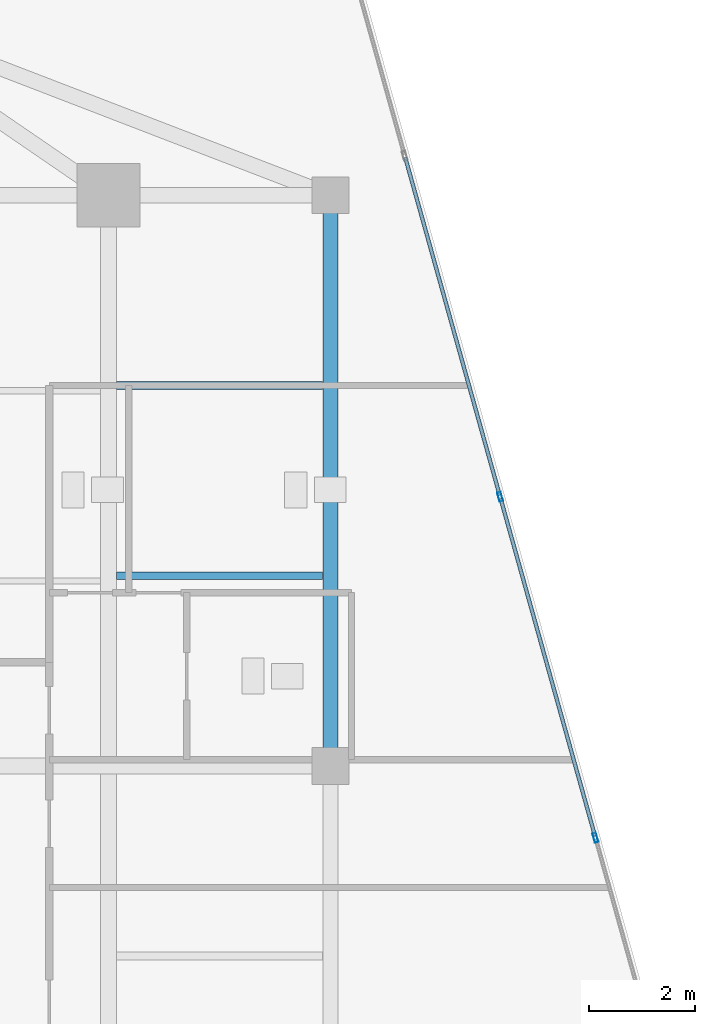
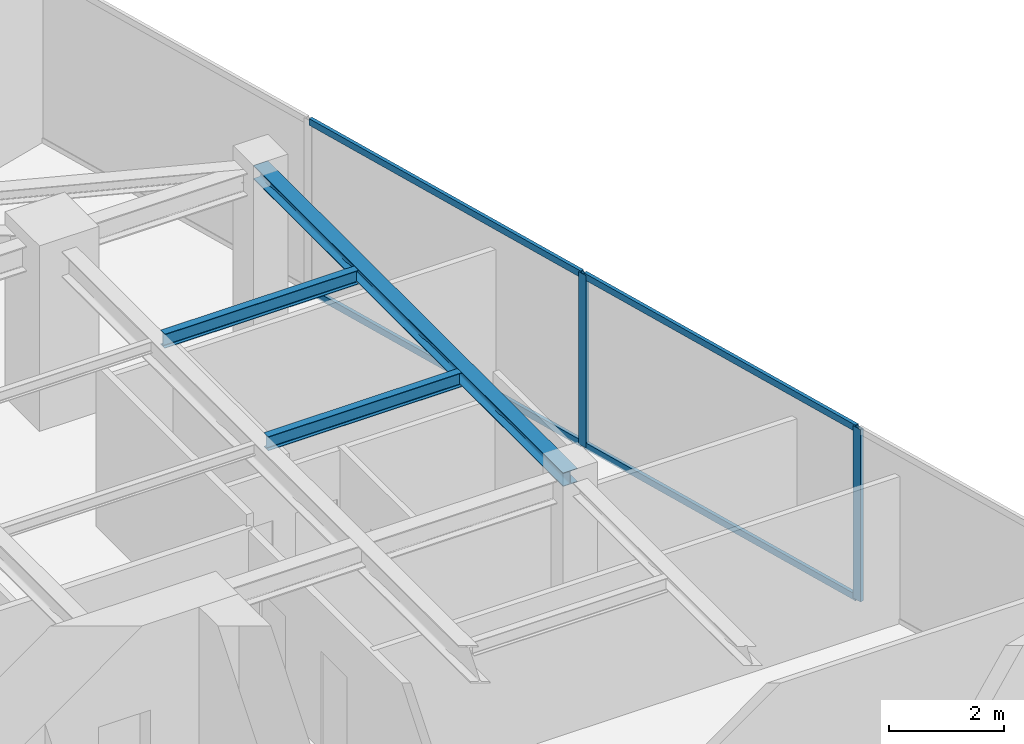
# One storey, part 11 of 21: 6 members, 3 beams, 1 element without a shape of its own.
"""IFC4 building model written with IfcOpenShell, lengths in metres."""

import ifcopenshell
import ifcopenshell.guid

model = None  # the IFC model being written
_history = None  # IfcOwnerHistory: only IFC2X3 demands one
_inside = {}  # id of a spatial element -> (the spatial element, [elements in it])
_under = {}  # id of a project, library or spatial element -> (it, [spatial elements below it])
_declared = {}  # id of a project -> (the project, [libraries it declares])
_typed = {}  # id of a type object -> (the type object, [elements of that type])
_made_of = {}  # id of a material, layer set ... -> (it, [elements and type objects made of it])


def new_model(schema):
    """Start an empty IFC model of exactly this schema.

    Asked for "IFC4X3", IfcOpenShell would pick the latest addendum, in which some entities
    have other attributes; the version numbers below select the first issue.
    IFC2X3 requires an IfcOwnerHistory on every rooted entity: one is made here for all.
    """
    global model, _history
    if schema == "IFC4X3":
        model = ifcopenshell.file(schema_version=(4, 3, 0, 0))
    else:
        model = ifcopenshell.file(schema=schema)
    _inside.clear()
    _under.clear()
    _declared.clear()
    _typed.clear()
    _made_of.clear()
    _history = None
    if model.schema == "IFC2X3":
        org = make("IfcOrganization", Name="unknown")
        user = make(
            "IfcPersonAndOrganization",
            ThePerson=make("IfcPerson", FamilyName="unknown"),
            TheOrganization=org,
        )
        app = make(
            "IfcApplication",
            ApplicationDeveloper=org,
            Version="unknown",
            ApplicationFullName="unknown",
            ApplicationIdentifier="unknown",
        )
        _history = make(
            "IfcOwnerHistory",
            OwningUser=user,
            OwningApplication=app,
            ChangeAction="ADDED",
            CreationDate=0,
        )
    return model


def make(cls, **values):
    """One entity of the class cls with the attributes given. An attribute that is None is left unset."""
    return model.create_entity(
        cls, **{name: value for name, value in values.items() if value is not None}
    )


def rooted(cls, **values):
    """An entity with a GlobalId (a new one), such as an element, a storey or a relation."""
    return make(cls, GlobalId=ifcopenshell.guid.new(), OwnerHistory=_history, **values)


def si_unit(unit_type, name, prefix=None):
    """IfcSIUnit, for example si_unit("LENGTHUNIT", "METRE", prefix="MILLI")."""
    return make("IfcSIUnit", UnitType=unit_type, Prefix=prefix, Name=name)


def assignment(units):
    """IfcUnitAssignment: the units of a project."""
    return None if units is None else make("IfcUnitAssignment", Units=units)


def point(xyz):
    """IfcCartesianPoint."""
    return None if xyz is None else make("IfcCartesianPoint", Coordinates=xyz)


def direction(xyz):
    """IfcDirection."""
    return None if xyz is None else make("IfcDirection", DirectionRatios=xyz)


def frame(location, z_axis=None, x_axis=None):
    """IfcAxis2Placement3D, a coordinate frame: its origin and axes. An axis left out is left unset."""
    return make(
        "IfcAxis2Placement3D",
        Location=point(location),
        Axis=direction(z_axis),
        RefDirection=direction(x_axis),
    )


def frame_2d(location, x_axis=None):
    """IfcAxis2Placement2D, a coordinate frame in the plane: its origin and x axis."""
    return make(
        "IfcAxis2Placement2D", Location=point(location), RefDirection=direction(x_axis)
    )


def origin():
    """The frame at (0, 0, 0) with its axes left unset."""
    return frame((0.0, 0.0, 0.0))


def origin_2d():
    """The frame at (0, 0) in the plane with its x axis left unset."""
    return frame_2d((0.0, 0.0))


def place(relative_to, where):
    """IfcLocalPlacement: puts the frame where relative to a parent placement (None: the world)."""
    return make(
        "IfcLocalPlacement", PlacementRelTo=relative_to, RelativePlacement=where
    )


def context(
    kind, dimensions, precision=None, world=None, true_north=None, identifier=None
):
    """IfcGeometricRepresentationContext, for example the 3D "Model" context."""
    return make(
        "IfcGeometricRepresentationContext",
        ContextIdentifier=identifier,
        ContextType=kind,
        CoordinateSpaceDimension=dimensions,
        Precision=precision,
        WorldCoordinateSystem=world,
        TrueNorth=true_north,
    )


def subcontext(parent, identifier, kind, view, scale=None):
    """IfcGeometricRepresentationSubContext, for example "Body" below "Model"."""
    return make(
        "IfcGeometricRepresentationSubContext",
        ContextIdentifier=identifier,
        ContextType=kind,
        ParentContext=parent,
        TargetScale=scale,
        TargetView=view,
    )


def project(units=None, contexts=None):
    """IfcProject with its units and contexts."""
    return rooted(
        "IfcProject",
        Name="project",
        RepresentationContexts=contexts,
        UnitsInContext=assignment(units),
    )


def spatial(cls, under=None, at=None, **own):
    """A site, building, storey or space (cls), placed at a placement, below another one or the project."""
    s = rooted(cls, ObjectPlacement=at, **own)
    if under is not None:
        _under.setdefault(under.id(), (under, []))[1].append(s)
    return s


def profile(cls, at=None, kind="AREA", **sizes):
    """A parametric profile (cls). Its sizes go by their IFC names, for example OverallWidth=200.0."""
    return make(cls, ProfileType=kind, Position=at, **sizes)


def hollow_rectangle(**sizes):
    """IfcRectangleHollowProfileDef."""
    return profile("IfcRectangleHollowProfileDef", **sizes)


def i_section(**sizes):
    """IfcIShapeProfileDef."""
    return profile("IfcIShapeProfileDef", **sizes)


def extrude(swept, where, along, depth):
    """IfcExtrudedAreaSolid: the profile swept, set in the frame where, extruded along a direction by depth."""
    return make(
        "IfcExtrudedAreaSolid",
        SweptArea=swept,
        Position=where,
        ExtrudedDirection=direction(along),
        Depth=depth,
    )


def shape(context_of_items, identifier, shape_type, items):
    """IfcShapeRepresentation: the items that make up one representation, for example the "Body"."""
    return make(
        "IfcShapeRepresentation",
        ContextOfItems=context_of_items,
        RepresentationIdentifier=identifier,
        RepresentationType=shape_type,
        Items=items,
    )


def source(mapping_origin, context_of_items, identifier, shape_type, items):
    """IfcRepresentationMap: a shape defined once, which mapped items show again and again."""
    return make(
        "IfcRepresentationMap",
        MappingOrigin=mapping_origin,
        MappedRepresentation=shape(context_of_items, identifier, shape_type, items),
    )


def transform(
    local_origin,
    x_axis=None,
    y_axis=None,
    z_axis=None,
    scale=None,
    scale2=None,
    scale3=None,
    uniform=True,
):
    """IfcCartesianTransformationOperator3D, or its non-uniform kind. x_axis, y_axis, z_axis: its Axis1, 2, 3."""
    if uniform:
        return make(
            "IfcCartesianTransformationOperator3D",
            Axis1=direction(x_axis),
            Axis2=direction(y_axis),
            LocalOrigin=point(local_origin),
            Scale=scale,
            Axis3=direction(z_axis),
        )
    return make(
        "IfcCartesianTransformationOperator3DnonUniform",
        Axis1=direction(x_axis),
        Axis2=direction(y_axis),
        LocalOrigin=point(local_origin),
        Scale=scale,
        Axis3=direction(z_axis),
        Scale2=scale2,
        Scale3=scale3,
    )


def mapped(mapping_source, mapping_target):
    """IfcMappedItem: shows the shape of a source again, moved by a transform."""
    return make(
        "IfcMappedItem", MappingSource=mapping_source, MappingTarget=mapping_target
    )


def material(Name=None, Category=None):
    """IfcMaterial."""
    return make("IfcMaterial", Name=Name, Category=Category)


def material_profile(
    of_material, cross_section, Name=None, Category=None, Priority=None
):
    """IfcMaterialProfile: a cross section and its material."""
    return make(
        "IfcMaterialProfile",
        Name=Name,
        Material=of_material,
        Profile=cross_section,
        Priority=Priority,
        Category=Category,
    )


def profile_set(profiles, Name=None, composite=None):
    """IfcMaterialProfileSet."""
    return make(
        "IfcMaterialProfileSet",
        Name=Name,
        MaterialProfiles=profiles,
        CompositeProfile=composite,
    )


def made_of(thing, what):
    """Note that an element or type object is made of a material, layer set ...; save() writes the relation."""
    if what is not None:
        _made_of.setdefault(what.id(), (what, []))[1].append(thing)
    return thing


def type_object(cls, material=None, **own):
    """A type object (cls), such as IfcWallType, which elements share."""
    return made_of(rooted(cls, **own), material)


def type_shapes(of_type, sources):
    """Give a type object the sources (RepresentationMaps) that its elements show as mapped items."""
    of_type.RepresentationMaps = sources


def element(
    cls,
    number,
    at=None,
    inside=None,
    cuts=None,
    type_object=None,
    material=None,
    context=None,
    identifier="Body",
    shape_type=None,
    held_by="IfcProductDefinitionShape",
    body=None,
    shapes=None,
    **own,
):
    """One element of the class cls, such as IfcWall. Its Tag is "e" and its number.

    at: its placement. inside: the storey or other place that contains it. cuts: it is an
    opening in that element (IfcRelVoidsElement). A single representation is given by context,
    identifier, shape_type and body (its items); several are given by shapes. held_by: the class
    of the entity that holds the representations. save() writes the other relations.
    """
    e = rooted(cls, Tag="e%d" % number, ObjectPlacement=at, **own)
    if body is not None:
        shapes = [shape(context, identifier, shape_type, body)]
    if shapes is not None:
        e.Representation = make(held_by, Representations=shapes)
    if inside is not None:
        _inside.setdefault(inside.id(), (inside, []))[1].append(e)
    if cuts is not None:
        rooted(
            "IfcRelVoidsElement", RelatingBuildingElement=cuts, RelatedOpeningElement=e
        )
    if type_object is not None:
        _typed.setdefault(type_object.id(), (type_object, []))[1].append(e)
    return made_of(e, material)


def aggregate(whole, parts):
    """IfcRelAggregates: a whole, such as a stair, and the parts it consists of."""
    return rooted("IfcRelAggregates", RelatingObject=whole, RelatedObjects=parts)


def save(model, path):
    """Write the relations noted so far, then the file.

    IfcRelAggregates (storeys below a building ...), IfcRelContainedInSpatialStructure (elements
    in a storey), IfcRelDefinesByType, IfcRelAssociatesMaterial and IfcRelDeclares: one each for
    every whole, place, type object, material and project.
    """
    for whole, parts in _under.values():
        aggregate(whole, parts)
    for where, things in _inside.values():
        rooted(
            "IfcRelContainedInSpatialStructure",
            RelatedElements=things,
            RelatingStructure=where,
        )
    for kind, things in _typed.values():
        rooted("IfcRelDefinesByType", RelatedObjects=things, RelatingType=kind)
    for what, things in _made_of.values():
        rooted("IfcRelAssociatesMaterial", RelatedObjects=things, RelatingMaterial=what)
    for by, libraries in _declared.values():
        rooted("IfcRelDeclares", RelatingContext=by, RelatedDefinitions=libraries)
    model.write(path)


model = new_model("IFC4")

# Units and contexts
model_context = context("Model", 3, precision=1e-05, world=origin(), true_north=direction((0.0, 1.0)))
body_context = subcontext(model_context, "Body", "Model", "MODEL_VIEW")
ifc_project = project(units=[si_unit("LENGTHUNIT", "METRE"), si_unit("AREAUNIT", "SQUARE_METRE"), si_unit("VOLUMEUNIT", "CUBIC_METRE"), si_unit("PLANEANGLEUNIT", "RADIAN"), si_unit("MASSUNIT", "GRAM", prefix="KILO")], contexts=[model_context])

# Site, building, storey
site_placement = place(None, origin())
site = spatial("IfcSite", under=ifc_project, at=site_placement, CompositionType="ELEMENT")
building_placement = place(site_placement, origin())
building = spatial("IfcBuilding", under=site, at=building_placement, Name="Krantzveldt Concourse Tower", CompositionType="ELEMENT")
storey_placement = place(building_placement, frame((0.0, 0.0, 347.449951171875)))
storey = spatial("IfcBuildingStorey", under=building, at=storey_placement, Name="L85", CompositionType="ELEMENT", Elevation=347.449951171875)

# Beams
ifc_material_1 = material(Name="Steel S355JR", Category="steel")
ifc_material_profile_1 = material_profile(ifc_material_1, i_section(OverallWidth=0.2900390625, OverallDepth=0.2900390625, WebThickness=0.008544921875, FlangeThickness=0.013916015625, FilletRadius=0.027099609375, at=origin_2d()), Name="Steel S355JR", Category="steel")
ifc_profile_set_1 = profile_set([ifc_material_profile_1], Name="Steel S355JR - HEA 300")
beam_type_1 = type_object("IfcBeamType", Name="BM-SP-HEA300", PredefinedType="SPANDREL", material=ifc_profile_set_1)
shared_shape_1 = source(origin(), body_context, "Body", "SweptSolid", [
    extrude(i_section(OverallWidth=0.2900390625, OverallDepth=0.2900390625, WebThickness=0.008544921875, FlangeThickness=0.013916015625, FilletRadius=0.027099609375, at=origin_2d()), origin(), (0.0, 0.0, 1.0), 10.800048828125),
])
type_shapes(beam_type_1, [shared_shape_1])
beam_placement = place(storey_placement, frame((51.0, 37.5, 3.525146484375), z_axis=(0.0, -1.0, 0.0), x_axis=(1.0, 0.0, 0.0)))
element("IfcBeam", 1, at=beam_placement, inside=storey, type_object=beam_type_1, Name="L85 Tower Girder SP-R06", PredefinedType="SPANDREL", context=body_context, shape_type="MappedRepresentation", body=[
    mapped(shared_shape_1, transform((0.0, 0.0, 0.0), x_axis=(1.0, 0.0, 0.0), y_axis=(0.0, 1.0, 0.0), z_axis=(0.0, 0.0, 1.0), scale=1.0)),
])
ifc_material_profile_2 = material_profile(ifc_material_1, i_section(OverallWidth=0.14990234375, OverallDepth=0.300048828125, WebThickness=0.007080078125, FlangeThickness=0.0107421875, FilletRadius=0.014892578125, at=origin_2d()), Name="Steel S355JR", Category="steel")
ifc_profile_set_2 = profile_set([ifc_material_profile_2], Name="Steel S355JR - IPE 300")
beam_type_2 = type_object("IfcBeamType", Name="BM-J-IPE300", PredefinedType="JOIST", material=ifc_profile_set_2)
shared_shape_2 = source(origin(), body_context, "Body", "SweptSolid", [
    extrude(i_section(OverallWidth=0.14990234375, OverallDepth=0.300048828125, WebThickness=0.007080078125, FlangeThickness=0.0107421875, FilletRadius=0.014892578125, at=origin_2d()), origin(), (0.0, 0.0, 1.0), 3.900146484375),
])
type_shapes(beam_type_2, [shared_shape_2])
for number, where, z_axis, x_axis, name in (
    (2, (46.949951171875, 30.300048828125, 3.52001953125), (1.0, 0.0, 0.0), (0.0, 1.0, 0.0), "L85 Secondary Floor Joist JE-3"),
    (3, (46.949951171875, 33.89990234375, 3.52001953125), (1.0, 0.0, 0.0), (0.0, 1.0, 0.0), "L85 Secondary Floor Joist JE-4"),
):
    element("IfcBeam", number, at=place(storey_placement, frame(where, z_axis=z_axis, x_axis=x_axis)), inside=storey, type_object=beam_type_2, Name=name, PredefinedType="JOIST", context=body_context, shape_type="MappedRepresentation", body=[
        mapped(shared_shape_2, transform((0.0, 0.0, 0.0), x_axis=(1.0, 0.0, 0.0), y_axis=(0.0, 1.0, 0.0), z_axis=(0.0, 0.0, 1.0), scale=1.0)),
    ])

# Curtain wall, members
ifc_material_2 = material(Name="Anodised aluminium 6063-T6", Category="aluminium")
curtain_wall_type = type_object("IfcCurtainWallType", Name="CW4", PredefinedType="USERDEFINED", material=ifc_material_2)
curtain_wall_placement = place(storey_placement, origin())
curtain_wall = element("IfcCurtainWall", 4, at=curtain_wall_placement, inside=storey, type_object=curtain_wall_type, Name="CW-L85-F10", ObjectType="UNITISED CURTAIN WALL", PredefinedType="USERDEFINED")
ifc_material_profile_3 = material_profile(ifc_material_2, hollow_rectangle(XDim=0.070068359375, YDim=0.179931640625, WallThickness=0.0048828125, at=origin_2d()), Name="Anodised aluminium 6063-T6", Category="aluminium")
ifc_profile_set_3 = profile_set([ifc_material_profile_3], Name="Anodised aluminium 6063-T6 - ALU-MULL 180x70x5")
member_type_1 = type_object("IfcMemberType", Name="CW-MUL-180", PredefinedType="MULLION", material=ifc_profile_set_3)
shared_shape_3 = source(origin(), body_context, "Body", "SweptSolid", [
    extrude(hollow_rectangle(XDim=0.070068359375, YDim=0.179931640625, WallThickness=0.0048828125, at=origin_2d()), origin(), (0.0, 0.0, 1.0), 3.670166015625),
])
type_shapes(member_type_1, [shared_shape_3])
member_1_placement = place(storey_placement, frame((56.015869140625, 25.3408203125, 0.0), z_axis=(0.0, 0.0, 1.0), x_axis=(-0.963045170968, -0.269339931454, 0.0)))
member_1 = element("IfcMember", 5, at=member_1_placement, type_object=member_type_1, Name="CW-Z56 mullion 2", PredefinedType="MULLION", context=body_context, shape_type="MappedRepresentation", body=[
    mapped(shared_shape_3, transform((0.0, 0.0, 0.0), x_axis=(1.0, 0.0, 0.0), y_axis=(0.0, 1.0, 0.0), z_axis=(0.0, 0.0, 1.0), scale=1.0)),
])
member_2_placement = place(storey_placement, frame((54.211181640625, 31.793212890625, 0.0), z_axis=(0.0, 0.0, 1.0), x_axis=(-0.963045170968, -0.269339931454, 0.0)))
member_2 = element("IfcMember", 6, at=member_2_placement, type_object=member_type_1, Name="CW-Z56 mullion 3", PredefinedType="MULLION", context=body_context, shape_type="MappedRepresentation", body=[
    mapped(shared_shape_3, transform((0.0, 0.0, 0.0), x_axis=(1.0, 0.0, 0.0), y_axis=(0.0, 1.0, 0.0), z_axis=(0.0, 0.0, 1.0), scale=1.0)),
])
ifc_material_profile_4 = material_profile(ifc_material_2, hollow_rectangle(XDim=0.070068359375, YDim=0.139892578125, WallThickness=0.0048828125, at=origin_2d()), Name="Anodised aluminium 6063-T6", Category="aluminium")
ifc_profile_set_4 = profile_set([ifc_material_profile_4], Name="Anodised aluminium 6063-T6 - ALU-TRAN 140x70x5")
member_type_2 = type_object("IfcMemberType", Name="CW-TRN-150", PredefinedType="USERDEFINED", material=ifc_profile_set_4)
shared_shape_4 = source(origin(), body_context, "Body", "SweptSolid", [
    extrude(hollow_rectangle(XDim=0.070068359375, YDim=0.139892578125, WallThickness=0.0048828125, at=origin_2d()), origin(), (0.0, 0.0, 1.0), 6.6298828125),
])
type_shapes(member_type_2, [shared_shape_4])
member_3_placement = place(storey_placement, frame((56.00634765625, 25.37451171875, 0.03515625), z_axis=(-0.269328056819, 0.963048491931, 0.0), x_axis=(-0.963048491931, -0.269328056819, 0.0)))
member_3 = element("IfcMember", 7, at=member_3_placement, type_object=member_type_2, Name="CW-Z56 transom 2.1", ObjectType="TRANSOM", PredefinedType="USERDEFINED", context=body_context, shape_type="MappedRepresentation", body=[
    mapped(shared_shape_4, transform((0.0, 0.0, 0.0), x_axis=(1.0, 0.0, 0.0), y_axis=(0.0, 1.0, 0.0), z_axis=(0.0, 0.0, 1.0), scale=1.0)),
])
member_4_placement = place(storey_placement, frame((56.00634765625, 25.37451171875, 3.635009765625), z_axis=(-0.269328056819, 0.963048491931, 0.0), x_axis=(-0.963048491931, -0.269328056819, 0.0)))
member_4 = element("IfcMember", 8, at=member_4_placement, type_object=member_type_2, Name="CW-Z56 transom 2.2", ObjectType="TRANSOM", PredefinedType="USERDEFINED", context=body_context, shape_type="MappedRepresentation", body=[
    mapped(shared_shape_4, transform((0.0, 0.0, 0.0), x_axis=(1.0, 0.0, 0.0), y_axis=(0.0, 1.0, 0.0), z_axis=(0.0, 0.0, 1.0), scale=1.0)),
])
member_5_placement = place(storey_placement, frame((54.20166015625, 31.826904296875, 0.03515625), z_axis=(-0.269328056819, 0.963048491931, 0.0), x_axis=(-0.963048491931, -0.269328056819, 0.0)))
member_5 = element("IfcMember", 9, at=member_5_placement, type_object=member_type_2, Name="CW-Z56 transom 3.1", ObjectType="TRANSOM", PredefinedType="USERDEFINED", context=body_context, shape_type="MappedRepresentation", body=[
    mapped(shared_shape_4, transform((0.0, 0.0, 0.0), x_axis=(1.0, 0.0, 0.0), y_axis=(0.0, 1.0, 0.0), z_axis=(0.0, 0.0, 1.0), scale=1.0)),
])
member_6_placement = place(storey_placement, frame((54.20166015625, 31.826904296875, 3.635009765625), z_axis=(-0.269328056819, 0.963048491931, 0.0), x_axis=(-0.963048491931, -0.269328056819, 0.0)))
member_6 = element("IfcMember", 10, at=member_6_placement, type_object=member_type_2, Name="CW-Z56 transom 3.2", ObjectType="TRANSOM", PredefinedType="USERDEFINED", context=body_context, shape_type="MappedRepresentation", body=[
    mapped(shared_shape_4, transform((0.0, 0.0, 0.0), x_axis=(1.0, 0.0, 0.0), y_axis=(0.0, 1.0, 0.0), z_axis=(0.0, 0.0, 1.0), scale=1.0)),
])
aggregate(curtain_wall, [member_1, member_2, member_3, member_4, member_5, member_6])

save(model, "model.ifc")
